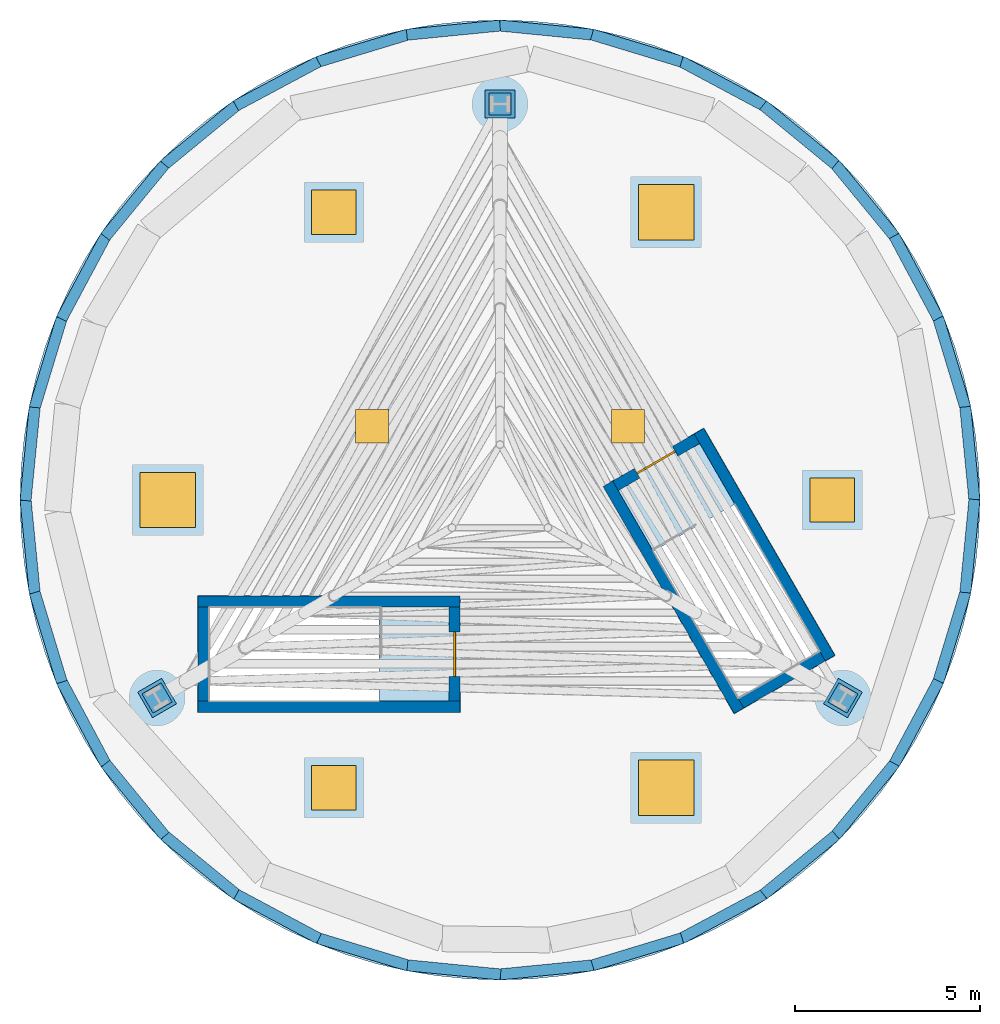
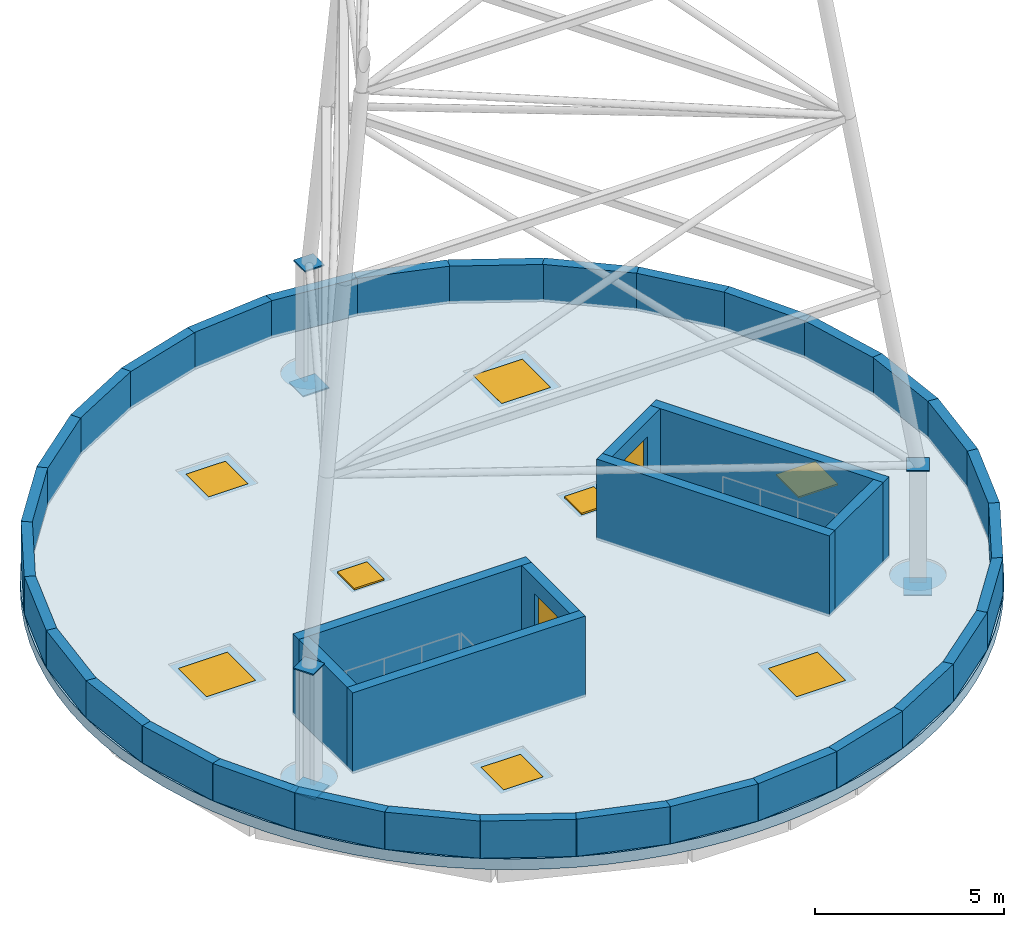
"""IFC4 building model written with IfcOpenShell, lengths in metres."""

import ifcopenshell
import ifcopenshell.guid

model = None  # the IFC model being written
_history = None  # IfcOwnerHistory: only IFC2X3 demands one
_inside = {}  # id of a spatial element -> (the spatial element, [elements in it])
_under = {}  # id of a project, library or spatial element -> (it, [spatial elements below it])
_declared = {}  # id of a project -> (the project, [libraries it declares])
_typed = {}  # id of a type object -> (the type object, [elements of that type])
_made_of = {}  # id of a material, layer set ... -> (it, [elements and type objects made of it])


def new_model(schema):
    """Start an empty IFC model of exactly this schema.

    Asked for "IFC4X3", IfcOpenShell would pick the latest addendum, in which some entities
    have other attributes; the version numbers below select the first issue.
    IFC2X3 requires an IfcOwnerHistory on every rooted entity: one is made here for all.
    """
    global model, _history
    if schema == "IFC4X3":
        model = ifcopenshell.file(schema_version=(4, 3, 0, 0))
    else:
        model = ifcopenshell.file(schema=schema)
    _inside.clear()
    _under.clear()
    _declared.clear()
    _typed.clear()
    _made_of.clear()
    _history = None
    if model.schema == "IFC2X3":
        org = make("IfcOrganization", Name="unknown")
        user = make(
            "IfcPersonAndOrganization",
            ThePerson=make("IfcPerson", FamilyName="unknown"),
            TheOrganization=org,
        )
        app = make(
            "IfcApplication",
            ApplicationDeveloper=org,
            Version="unknown",
            ApplicationFullName="unknown",
            ApplicationIdentifier="unknown",
        )
        _history = make(
            "IfcOwnerHistory",
            OwningUser=user,
            OwningApplication=app,
            ChangeAction="ADDED",
            CreationDate=0,
        )
    return model


def make(cls, **values):
    """One entity of the class cls with the attributes given. An attribute that is None is left unset."""
    return model.create_entity(
        cls, **{name: value for name, value in values.items() if value is not None}
    )


def rooted(cls, **values):
    """An entity with a GlobalId (a new one), such as an element, a storey or a relation."""
    return make(cls, GlobalId=ifcopenshell.guid.new(), OwnerHistory=_history, **values)


def si_unit(unit_type, name, prefix=None):
    """IfcSIUnit, for example si_unit("LENGTHUNIT", "METRE", prefix="MILLI")."""
    return make("IfcSIUnit", UnitType=unit_type, Prefix=prefix, Name=name)


def assignment(units):
    """IfcUnitAssignment: the units of a project."""
    return None if units is None else make("IfcUnitAssignment", Units=units)


def point(xyz):
    """IfcCartesianPoint."""
    return None if xyz is None else make("IfcCartesianPoint", Coordinates=xyz)


def direction(xyz):
    """IfcDirection."""
    return None if xyz is None else make("IfcDirection", DirectionRatios=xyz)


def frame(location, z_axis=None, x_axis=None):
    """IfcAxis2Placement3D, a coordinate frame: its origin and axes. An axis left out is left unset."""
    return make(
        "IfcAxis2Placement3D",
        Location=point(location),
        Axis=direction(z_axis),
        RefDirection=direction(x_axis),
    )


def frame_2d(location, x_axis=None):
    """IfcAxis2Placement2D, a coordinate frame in the plane: its origin and x axis."""
    return make(
        "IfcAxis2Placement2D", Location=point(location), RefDirection=direction(x_axis)
    )


def origin():
    """The frame at (0, 0, 0) with its axes left unset."""
    return frame((0.0, 0.0, 0.0))


def origin_2d():
    """The frame at (0, 0) in the plane with its x axis left unset."""
    return frame_2d((0.0, 0.0))


def place(relative_to, where):
    """IfcLocalPlacement: puts the frame where relative to a parent placement (None: the world)."""
    return make(
        "IfcLocalPlacement", PlacementRelTo=relative_to, RelativePlacement=where
    )


def context(
    kind, dimensions, precision=None, world=None, true_north=None, identifier=None
):
    """IfcGeometricRepresentationContext, for example the 3D "Model" context."""
    return make(
        "IfcGeometricRepresentationContext",
        ContextIdentifier=identifier,
        ContextType=kind,
        CoordinateSpaceDimension=dimensions,
        Precision=precision,
        WorldCoordinateSystem=world,
        TrueNorth=true_north,
    )


def subcontext(parent, identifier, kind, view, scale=None):
    """IfcGeometricRepresentationSubContext, for example "Body" below "Model"."""
    return make(
        "IfcGeometricRepresentationSubContext",
        ContextIdentifier=identifier,
        ContextType=kind,
        ParentContext=parent,
        TargetScale=scale,
        TargetView=view,
    )


def project(units=None, contexts=None):
    """IfcProject with its units and contexts."""
    return rooted(
        "IfcProject",
        Name="project",
        RepresentationContexts=contexts,
        UnitsInContext=assignment(units),
    )


def spatial(cls, under=None, at=None, **own):
    """A site, building, storey or space (cls), placed at a placement, below another one or the project."""
    s = rooted(cls, ObjectPlacement=at, **own)
    if under is not None:
        _under.setdefault(under.id(), (under, []))[1].append(s)
    return s


def polyline(points):
    """IfcPolyline through the points."""
    return make("IfcPolyline", Points=[point(p) for p in points])


def profile(cls, at=None, kind="AREA", **sizes):
    """A parametric profile (cls). Its sizes go by their IFC names, for example OverallWidth=200.0."""
    return make(cls, ProfileType=kind, Position=at, **sizes)


def rectangle(**sizes):
    """IfcRectangleProfileDef."""
    return profile("IfcRectangleProfileDef", **sizes)


def outline(outer, holes=None, kind="AREA"):
    """IfcArbitraryClosedProfileDef: a profile drawn as a closed curve; with holes, ...WithVoids."""
    if holes is None:
        return make("IfcArbitraryClosedProfileDef", ProfileType=kind, OuterCurve=outer)
    return make(
        "IfcArbitraryProfileDefWithVoids",
        ProfileType=kind,
        OuterCurve=outer,
        InnerCurves=holes,
    )


def extrude(swept, where, along, depth):
    """IfcExtrudedAreaSolid: the profile swept, set in the frame where, extruded along a direction by depth."""
    return make(
        "IfcExtrudedAreaSolid",
        SweptArea=swept,
        Position=where,
        ExtrudedDirection=direction(along),
        Depth=depth,
    )


def shape(context_of_items, identifier, shape_type, items):
    """IfcShapeRepresentation: the items that make up one representation, for example the "Body"."""
    return make(
        "IfcShapeRepresentation",
        ContextOfItems=context_of_items,
        RepresentationIdentifier=identifier,
        RepresentationType=shape_type,
        Items=items,
    )


def material(Name=None, Category=None):
    """IfcMaterial."""
    return make("IfcMaterial", Name=Name, Category=Category)


def layer(
    of_material, thickness, ventilated=None, Name=None, Category=None, Priority=None
):
    """IfcMaterialLayer: one layer of a wall or slab, of a material (None: an air gap)."""
    return make(
        "IfcMaterialLayer",
        Material=of_material,
        LayerThickness=thickness,
        IsVentilated=ventilated,
        Name=Name,
        Category=Category,
        Priority=Priority,
    )


def layer_set(layers, Name=None):
    """IfcMaterialLayerSet."""
    return make("IfcMaterialLayerSet", MaterialLayers=layers, LayerSetName=Name)


def made_of(thing, what):
    """Note that an element or type object is made of a material, layer set ...; save() writes the relation."""
    if what is not None:
        _made_of.setdefault(what.id(), (what, []))[1].append(thing)
    return thing


def type_object(cls, material=None, **own):
    """A type object (cls), such as IfcWallType, which elements share."""
    return made_of(rooted(cls, **own), material)


def element(
    cls,
    number,
    at=None,
    inside=None,
    cuts=None,
    type_object=None,
    material=None,
    context=None,
    identifier="Body",
    shape_type=None,
    held_by="IfcProductDefinitionShape",
    body=None,
    shapes=None,
    **own,
):
    """One element of the class cls, such as IfcWall. Its Tag is "e" and its number.

    at: its placement. inside: the storey or other place that contains it. cuts: it is an
    opening in that element (IfcRelVoidsElement). A single representation is given by context,
    identifier, shape_type and body (its items); several are given by shapes. held_by: the class
    of the entity that holds the representations. save() writes the other relations.
    """
    e = rooted(cls, Tag="e%d" % number, ObjectPlacement=at, **own)
    if body is not None:
        shapes = [shape(context, identifier, shape_type, body)]
    if shapes is not None:
        e.Representation = make(held_by, Representations=shapes)
    if inside is not None:
        _inside.setdefault(inside.id(), (inside, []))[1].append(e)
    if cuts is not None:
        rooted(
            "IfcRelVoidsElement", RelatingBuildingElement=cuts, RelatedOpeningElement=e
        )
    if type_object is not None:
        _typed.setdefault(type_object.id(), (type_object, []))[1].append(e)
    return made_of(e, material)


def fill(opening, filler):
    """IfcRelFillsElement: the door or window that sits in an opening."""
    return rooted(
        "IfcRelFillsElement",
        RelatingOpeningElement=opening,
        RelatedBuildingElement=filler,
    )


def aggregate(whole, parts):
    """IfcRelAggregates: a whole, such as a stair, and the parts it consists of."""
    return rooted("IfcRelAggregates", RelatingObject=whole, RelatedObjects=parts)


def save(model, path):
    """Write the relations noted so far, then the file.

    IfcRelAggregates (storeys below a building ...), IfcRelContainedInSpatialStructure (elements
    in a storey), IfcRelDefinesByType, IfcRelAssociatesMaterial and IfcRelDeclares: one each for
    every whole, place, type object, material and project.
    """
    for whole, parts in _under.values():
        aggregate(whole, parts)
    for where, things in _inside.values():
        rooted(
            "IfcRelContainedInSpatialStructure",
            RelatedElements=things,
            RelatingStructure=where,
        )
    for kind, things in _typed.values():
        rooted("IfcRelDefinesByType", RelatedObjects=things, RelatingType=kind)
    for what, things in _made_of.values():
        rooted("IfcRelAssociatesMaterial", RelatedObjects=things, RelatingMaterial=what)
    for by, libraries in _declared.values():
        rooted("IfcRelDeclares", RelatingContext=by, RelatedDefinitions=libraries)
    model.write(path)


model = new_model("IFC4")

# Units and contexts
model_context = context("Model", 3, precision=1e-05, world=origin(), true_north=direction((0.0, 1.0)))
body_context = subcontext(model_context, "Body", "Model", "MODEL_VIEW")
ifc_project = project(units=[si_unit("LENGTHUNIT", "METRE"), si_unit("AREAUNIT", "SQUARE_METRE"), si_unit("VOLUMEUNIT", "CUBIC_METRE"), si_unit("PLANEANGLEUNIT", "RADIAN"), si_unit("MASSUNIT", "GRAM", prefix="KILO")], contexts=[model_context])

# Site, building, storey
site_placement = place(None, origin())
site = spatial("IfcSite", under=ifc_project, at=site_placement, CompositionType="ELEMENT")
building_placement = place(site_placement, origin())
building = spatial("IfcBuilding", under=site, at=building_placement, Name="Tramontana Tower", CompositionType="ELEMENT")
storey_1_placement = place(building_placement, frame((0.0, 0.0, 392.89990234375)))
storey_1 = spatial("IfcBuildingStorey", under=building, at=storey_1_placement, Name="RF", CompositionType="ELEMENT", Elevation=392.89990234375)

# Slab, openings
ifc_material_1 = material(Name="Concrete 40 MPa", Category="concrete")
ifc_layer_1 = layer(ifc_material_1, 0.35009765625)
ifc_layer_set_1 = layer_set([ifc_layer_1], Name="RC ROOF SLAB 350 40 MPa")
slab_type = type_object("IfcSlabType", Name="RC ROOF SLAB 350 40 MPa", PredefinedType="ROOF", material=ifc_layer_set_1)
slab_placement = place(storey_1_placement, frame((0.0, 0.0, -0.349853515625)))
slab = element("IfcSlab", 1, at=slab_placement, inside=storey_1, type_object=slab_type, Name="Roof slab", PredefinedType="ROOF", context=body_context, shape_type="SweptSolid", body=[
    extrude(outline(polyline([(12.97216796875, -0.85009765625), (12.888916015625, -1.69677734375), (12.750244140625, -2.5361328125), (12.556884765625, -3.364501953125), (12.31005859375, -4.1787109375), (12.010498046875, -4.974853515625), (11.6591796875, -5.749755859375), (11.25830078125, -6.5), (10.80908203125, -7.222412109375), (10.313720703125, -7.913818359375), (9.77392578125, -8.571533203125), (9.1923828125, -9.1923828125), (8.571533203125, -9.77392578125), (7.913818359375, -10.313720703125), (7.222412109375, -10.80908203125), (6.5, -11.25830078125), (5.749755859375, -11.6591796875), (4.974853515625, -12.010498046875), (4.1787109375, -12.31005859375), (3.364501953125, -12.556884765625), (2.5361328125, -12.750244140625), (1.69677734375, -12.888916015625), (0.85009765625, -12.97216796875), (0.0, -13.0), (-0.85009765625, -12.97216796875), (-1.69677734375, -12.888916015625), (-2.5361328125, -12.750244140625), (-3.364501953125, -12.556884765625), (-4.1787109375, -12.31005859375), (-4.974853515625, -12.010498046875), (-5.749755859375, -11.6591796875), (-6.5, -11.25830078125), (-7.222412109375, -10.80908203125), (-7.913818359375, -10.313720703125), (-8.571533203125, -9.77392578125), (-9.1923828125, -9.1923828125), (-9.77392578125, -8.571533203125), (-10.313720703125, -7.913818359375), (-10.80908203125, -7.222412109375), (-11.25830078125, -6.5), (-11.6591796875, -5.749755859375), (-12.010498046875, -4.974853515625), (-12.31005859375, -4.1787109375), (-12.556884765625, -3.364501953125), (-12.750244140625, -2.5361328125), (-12.888916015625, -1.69677734375), (-12.97216796875, -0.85009765625), (-13.0, 0.0), (-12.97216796875, 0.85009765625), (-12.888916015625, 1.69677734375), (-12.750244140625, 2.5361328125), (-12.556884765625, 3.364501953125), (-12.31005859375, 4.1787109375), (-12.010498046875, 4.974853515625), (-11.6591796875, 5.749755859375), (-11.25830078125, 6.5), (-10.80908203125, 7.222412109375), (-10.313720703125, 7.913818359375), (-9.77392578125, 8.571533203125), (-9.1923828125, 9.1923828125), (-8.571533203125, 9.77392578125), (-7.913818359375, 10.313720703125), (-7.222412109375, 10.80908203125), (-6.5, 11.25830078125), (-5.749755859375, 11.6591796875), (-4.974853515625, 12.010498046875), (-4.1787109375, 12.31005859375), (-3.364501953125, 12.556884765625), (-2.5361328125, 12.750244140625), (-1.69677734375, 12.888916015625), (-0.85009765625, 12.97216796875), (0.0, 13.0), (0.85009765625, 12.97216796875), (1.69677734375, 12.888916015625), (2.5361328125, 12.750244140625), (3.364501953125, 12.556884765625), (4.1787109375, 12.31005859375), (4.974853515625, 12.010498046875), (5.749755859375, 11.6591796875), (6.5, 11.25830078125), (7.222412109375, 10.80908203125), (7.913818359375, 10.313720703125), (8.571533203125, 9.77392578125), (9.1923828125, 9.1923828125), (9.77392578125, 8.571533203125), (10.313720703125, 7.913818359375), (10.80908203125, 7.222412109375), (11.25830078125, 6.5), (11.6591796875, 5.749755859375), (12.010498046875, 4.974853515625), (12.31005859375, 4.1787109375), (12.556884765625, 3.364501953125), (12.750244140625, 2.5361328125), (12.888916015625, 1.69677734375), (12.97216796875, 0.85009765625), (13.0, 0.0), (12.97216796875, -0.85009765625)]), holes=[polyline([(4.151611328125, -1.390625), (6.451416015625, -5.374267578125), (8.659912109375, -4.099365234375), (6.35986328125, -0.115478515625), (4.151611328125, -1.390625)]), polyline([(-3.280029296875, -2.89990234375), (-7.8798828125, -2.89990234375), (-7.8798828125, -5.449951171875), (-3.280029296875, -5.449951171875), (-3.280029296875, -2.89990234375)])]), origin(), (0.0, 0.0, 1.0), 0.349853515625),
])
opening_1_placement = place(slab_placement, frame((9.0, 0.0, 0.0)))
opening_1 = element("IfcOpeningElement", 2, at=opening_1_placement, cuts=slab, Name="Opening SK1", PredefinedType="OPENING", context=body_context, shape_type="SweptSolid", body=[
    extrude(rectangle(XDim=1.199951171875, YDim=1.199951171875, at=origin_2d()), origin(), (0.0, 0.0, 1.0), 0.349853515625),
])
opening_2_placement = place(slab_placement, frame((4.5, 7.794189453125, 0.0)))
opening_2 = element("IfcOpeningElement", 3, at=opening_2_placement, cuts=slab, Name="Opening SK2", PredefinedType="OPENING", context=body_context, shape_type="SweptSolid", body=[
    extrude(rectangle(XDim=1.5, YDim=1.5, at=origin_2d()), origin(), (0.0, 0.0, 1.0), 0.349853515625),
])
opening_3_placement = place(slab_placement, frame((-4.5, 7.794189453125, 0.0)))
opening_3 = element("IfcOpeningElement", 4, at=opening_3_placement, cuts=slab, Name="Opening SK1", PredefinedType="OPENING", context=body_context, shape_type="SweptSolid", body=[
    extrude(rectangle(XDim=1.199951171875, YDim=1.199951171875, at=origin_2d()), origin(), (0.0, 0.0, 1.0), 0.349853515625),
])
opening_4_placement = place(slab_placement, frame((-9.0, 0.0, 0.0)))
opening_4 = element("IfcOpeningElement", 5, at=opening_4_placement, cuts=slab, Name="Opening SK2", PredefinedType="OPENING", context=body_context, shape_type="SweptSolid", body=[
    extrude(rectangle(XDim=1.5, YDim=1.5, at=origin_2d()), origin(), (0.0, 0.0, 1.0), 0.349853515625),
])
opening_5_placement = place(slab_placement, frame((-4.5, -7.794189453125, 0.0)))
opening_5 = element("IfcOpeningElement", 6, at=opening_5_placement, cuts=slab, Name="Opening SK1", PredefinedType="OPENING", context=body_context, shape_type="SweptSolid", body=[
    extrude(rectangle(XDim=1.199951171875, YDim=1.199951171875, at=origin_2d()), origin(), (0.0, 0.0, 1.0), 0.349853515625),
])
opening_6_placement = place(slab_placement, frame((4.5, -7.794189453125, 0.0)))
opening_6 = element("IfcOpeningElement", 7, at=opening_6_placement, cuts=slab, Name="Opening SK2", PredefinedType="OPENING", context=body_context, shape_type="SweptSolid", body=[
    extrude(rectangle(XDim=1.5, YDim=1.5, at=origin_2d()), origin(), (0.0, 0.0, 1.0), 0.349853515625),
])
opening_7_placement = place(slab_placement, frame((3.464111328125, 2.0, 0.0)))
opening_7 = element("IfcOpeningElement", 8, at=opening_7_placement, cuts=slab, Name="Opening RH-1", PredefinedType="OPENING", context=body_context, shape_type="SweptSolid", body=[
    extrude(rectangle(XDim=0.89990234375, YDim=0.89990234375, at=origin_2d()), origin(), (0.0, 0.0, 1.0), 0.409912109375),
])
opening_8_placement = place(slab_placement, frame((-3.464111328125, 2.0, 0.0)))
opening_8 = element("IfcOpeningElement", 9, at=opening_8_placement, cuts=slab, Name="Opening RH-2", PredefinedType="OPENING", context=body_context, shape_type="SweptSolid", body=[
    extrude(rectangle(XDim=0.89990234375, YDim=0.89990234375, at=origin_2d()), origin(), (0.0, 0.0, 1.0), 0.409912109375),
])

# Storey
storey_2_placement = place(building_placement, frame((0.0, 0.0, 380.89990234375)))
storey_2 = spatial("IfcBuildingStorey", under=building, at=storey_2_placement, Name="Crown", CompositionType="ELEMENT", Elevation=380.89990234375)

# Door
ifc_material_2 = material(Name="Aluminum insulated hatch", Category="aluminium")
door_type_1 = type_object("IfcDoorType", Name="HT1 Roof access hatch 900", OperationType="SINGLE_SWING_LEFT", PredefinedType="TRAPDOOR", material=ifc_material_2)
door_1_placement = place(opening_7_placement, frame((0.0, 0.0, 0.349853515625)))
door_1 = element("IfcDoor", 10, at=door_1_placement, inside=storey_2, type_object=door_type_1, Name="Roof access hatch 1", OperationType="SINGLE_SWING_LEFT", OverallHeight=0.89990234375, OverallWidth=0.89990234375, PredefinedType="TRAPDOOR", context=body_context, shape_type="SweptSolid", body=[
    extrude(rectangle(XDim=0.89990234375, YDim=0.89990234375, at=origin_2d()), origin(), (0.0, 0.0, 1.0), 0.050048828125),
])

fill(opening_7, door_1)

door_2_placement = place(opening_8_placement, frame((0.0, 0.0, 0.349853515625)))
door_2 = element("IfcDoor", 11, at=door_2_placement, inside=storey_2, type_object=door_type_1, Name="Roof access hatch 2", OperationType="SINGLE_SWING_LEFT", OverallHeight=0.89990234375, OverallWidth=0.89990234375, PredefinedType="TRAPDOOR", context=body_context, shape_type="SweptSolid", body=[
    extrude(rectangle(XDim=0.89990234375, YDim=0.89990234375, at=origin_2d()), origin(), (0.0, 0.0, 1.0), 0.050048828125),
])

fill(opening_8, door_2)

# Window
ifc_material_3 = material(Name="Aluminum frame, double glazing unit", Category="aluminium")
window_type_1 = type_object("IfcWindowType", Name="SK1 Drum rooflight 1200", PartitioningType="SINGLE_PANEL", PredefinedType="SKYLIGHT", material=ifc_material_3)
window_1_placement = place(opening_1_placement, frame((0.0, 0.0, 0.2998046875)))
window_1 = element("IfcWindow", 12, at=window_1_placement, inside=storey_2, type_object=window_type_1, Name="Drum rooflight 1", OverallHeight=1.199951171875, OverallWidth=1.199951171875, PartitioningType="SINGLE_PANEL", PredefinedType="SKYLIGHT", context=body_context, shape_type="SweptSolid", body=[
    extrude(rectangle(XDim=1.199951171875, YDim=1.199951171875, at=origin_2d()), origin(), (0.0, 0.0, 1.0), 0.050048828125),
])

fill(opening_1, window_1)

window_2_placement = place(opening_3_placement, frame((0.0, 0.0, 0.2998046875)))
window_2 = element("IfcWindow", 13, at=window_2_placement, inside=storey_2, type_object=window_type_1, Name="Drum rooflight 3", OverallHeight=1.199951171875, OverallWidth=1.199951171875, PartitioningType="SINGLE_PANEL", PredefinedType="SKYLIGHT", context=body_context, shape_type="SweptSolid", body=[
    extrude(rectangle(XDim=1.199951171875, YDim=1.199951171875, at=origin_2d()), origin(), (0.0, 0.0, 1.0), 0.050048828125),
])

fill(opening_3, window_2)

window_3_placement = place(opening_5_placement, frame((0.0, 0.0, 0.2998046875)))
window_3 = element("IfcWindow", 14, at=window_3_placement, inside=storey_2, type_object=window_type_1, Name="Drum rooflight 5", OverallHeight=1.199951171875, OverallWidth=1.199951171875, PartitioningType="SINGLE_PANEL", PredefinedType="SKYLIGHT", context=body_context, shape_type="SweptSolid", body=[
    extrude(rectangle(XDim=1.199951171875, YDim=1.199951171875, at=origin_2d()), origin(), (0.0, 0.0, 1.0), 0.050048828125),
])

fill(opening_5, window_3)

ifc_material_4 = material(Name="Aluminum frame, double glazing unit", Category="aluminium")
window_type_2 = type_object("IfcWindowType", Name="SK2 Drum rooflight 1500", PartitioningType="SINGLE_PANEL", PredefinedType="SKYLIGHT", material=ifc_material_4)
window_4_placement = place(opening_2_placement, frame((0.0, 0.0, 0.2998046875)))
window_4 = element("IfcWindow", 15, at=window_4_placement, inside=storey_2, type_object=window_type_2, Name="Drum rooflight 2", OverallHeight=1.5, OverallWidth=1.5, PartitioningType="SINGLE_PANEL", PredefinedType="SKYLIGHT", context=body_context, shape_type="SweptSolid", body=[
    extrude(rectangle(XDim=1.5, YDim=1.5, at=origin_2d()), origin(), (0.0, 0.0, 1.0), 0.050048828125),
])

fill(opening_2, window_4)

window_5_placement = place(opening_4_placement, frame((0.0, 0.0, 0.2998046875)))
window_5 = element("IfcWindow", 16, at=window_5_placement, inside=storey_2, type_object=window_type_2, Name="Drum rooflight 4", OverallHeight=1.5, OverallWidth=1.5, PartitioningType="SINGLE_PANEL", PredefinedType="SKYLIGHT", context=body_context, shape_type="SweptSolid", body=[
    extrude(rectangle(XDim=1.5, YDim=1.5, at=origin_2d()), origin(), (0.0, 0.0, 1.0), 0.050048828125),
])

fill(opening_4, window_5)

window_6_placement = place(opening_6_placement, frame((0.0, 0.0, 0.2998046875)))
window_6 = element("IfcWindow", 17, at=window_6_placement, inside=storey_2, type_object=window_type_2, Name="Drum rooflight 6", OverallHeight=1.5, OverallWidth=1.5, PartitioningType="SINGLE_PANEL", PredefinedType="SKYLIGHT", context=body_context, shape_type="SweptSolid", body=[
    extrude(rectangle(XDim=1.5, YDim=1.5, at=origin_2d()), origin(), (0.0, 0.0, 1.0), 0.050048828125),
])

fill(opening_6, window_6)

# Walls
ifc_material_5 = material(Name="Precast concrete 60 MPa", Category="concrete")
ifc_layer_2 = layer(ifc_material_5, 0.300048828125)
ifc_layer_set_2 = layer_set([ifc_layer_2], Name="HH1 Stair head-house wall 300")
wall_type_1 = type_object("IfcWallType", Name="HH1 Stair head-house wall 300", PredefinedType="SOLIDWALL", material=ifc_layer_set_2)
for number, where, z_axis, x_axis, name in (
    (18, (-8.179931640625, -5.60009765625, 0.0), (0.0, 0.0, 1.0), (1.0, 0.0, 0.0), "Stair head-house wall ST2l"),
    (19, (-8.179931640625, -2.75, 0.0), (0.0, 0.0, 1.0), (1.0, 0.0, 0.0), "Stair head-house wall ST2r"),
):
    element("IfcWall", number, at=place(storey_1_placement, frame(where, z_axis=z_axis, x_axis=x_axis)), inside=storey_1, type_object=wall_type_1, Name=name, PredefinedType="SOLIDWALL", context=body_context, shape_type="SweptSolid", body=[
        extrude(rectangle(XDim=7.099853515625, YDim=0.300048828125, at=frame_2d((3.5498046875, 0.0))), origin(), (0.0, 0.0, 1.0), 2.60009765625),
    ])
wall_1_placement = place(storey_1_placement, frame((-8.030029296875, -5.449951171875, 0.0), z_axis=(0.0, 0.0, 1.0), x_axis=(0.0, 1.0, 0.0)))
element("IfcWall", 20, at=wall_1_placement, inside=storey_1, type_object=wall_type_1, Name="Stair head-house back wall ST2", PredefinedType="SOLIDWALL", context=body_context, shape_type="SweptSolid", body=[
    extrude(rectangle(XDim=2.550048828125, YDim=0.300048828125, at=frame_2d((1.27490234375, 0.0))), origin(), (0.0, 0.0, 1.0), 2.60009765625),
])

# Wall, opening, door
wall_2_placement = place(storey_1_placement, frame((-1.22998046875, -2.89990234375, 0.0), z_axis=(0.0, 0.0, 1.0), x_axis=(0.0, -1.0, 0.0)))
wall_2 = element("IfcWall", 21, at=wall_2_placement, inside=storey_1, type_object=wall_type_1, Name="Stair head-house end wall ST2", PredefinedType="SOLIDWALL", context=body_context, shape_type="SweptSolid", body=[
    extrude(rectangle(XDim=2.550048828125, YDim=0.300048828125, at=frame_2d((1.27490234375, 0.0))), origin(), (0.0, 0.0, 1.0), 2.60009765625),
])
opening_9_placement = place(wall_2_placement, frame((0.675048828125, 0.0, 0.0)))
opening_9 = element("IfcOpeningElement", 22, at=opening_9_placement, cuts=wall_2, Name="Opening HD-ST2", PredefinedType="OPENING", context=body_context, shape_type="SweptSolid", body=[
    extrude(rectangle(XDim=1.199951171875, YDim=2.10009765625, at=frame_2d((0.60009765625, 1.050048828125))), frame((0.0, 0.159912109375, 0.0), z_axis=(0.0, -1.0, 0.0), x_axis=(1.0, 0.0, 0.0)), (0.0, 0.0, 1.0), 0.320068359375),
])
ifc_material_6 = material(Name="Aluminum frame, double glazing unit", Category="aluminium")
door_type_2 = type_object("IfcDoorType", Name="HD1 Stair roof door 1200 x 2100", OperationType="DOUBLE_DOOR_SINGLE_SWING", PredefinedType="DOOR", material=ifc_material_6)
door_3_placement = place(opening_9_placement, origin())
door_3 = element("IfcDoor", 23, at=door_3_placement, inside=storey_2, type_object=door_type_2, Name="Stair roof door ST2", OperationType="DOUBLE_DOOR_SINGLE_SWING", OverallHeight=2.10009765625, OverallWidth=1.199951171875, PredefinedType="DOOR", context=body_context, shape_type="SweptSolid", body=[
    extrude(rectangle(XDim=1.199951171875, YDim=2.10009765625, at=frame_2d((0.60009765625, 1.050048828125))), frame((0.0, 0.02490234375, 0.0), z_axis=(0.0, -1.0, 0.0), x_axis=(1.0, 0.0, 0.0)), (0.0, 0.0, 1.0), 0.050048828125),
])
fill(opening_9, door_3)

# Walls
wall_3_placement = place(storey_1_placement, frame((8.939697265625, -4.2841796875, 0.0), z_axis=(0.0, 0.0, 1.0), x_axis=(-0.499996289485, 0.866027546041, 0.0)))
element("IfcWall", 24, at=wall_3_placement, inside=storey_1, type_object=wall_type_1, Name="Stair head-house wall ST3l", PredefinedType="SOLIDWALL", context=body_context, shape_type="SweptSolid", body=[
    extrude(rectangle(XDim=7.10009765625, YDim=0.300048828125, at=frame_2d((3.550048828125, 0.0))), origin(), (0.0, 0.0, 1.0), 2.60009765625),
])
wall_4_placement = place(storey_1_placement, frame((6.4716796875, -5.708984375, 0.0), z_axis=(0.0, 0.0, 1.0), x_axis=(-0.500011179042, 0.866018949465, 0.0)))
element("IfcWall", 25, at=wall_4_placement, inside=storey_1, type_object=wall_type_1, Name="Stair head-house wall ST3r", PredefinedType="SOLIDWALL", context=body_context, shape_type="SweptSolid", body=[
    extrude(rectangle(XDim=7.099853515625, YDim=0.300048828125, at=frame_2d((3.5498046875, 0.0))), origin(), (0.0, 0.0, 1.0), 2.60009765625),
])
wall_5_placement = place(storey_1_placement, frame((8.73486328125, -4.229248046875, 0.0), z_axis=(0.0, 0.0, 1.0), x_axis=(-0.866054858364, -0.499948979701, 0.0)))
element("IfcWall", 26, at=wall_5_placement, inside=storey_1, type_object=wall_type_1, Name="Stair head-house back wall ST3", PredefinedType="SOLIDWALL", context=body_context, shape_type="SweptSolid", body=[
    extrude(rectangle(XDim=2.550048828125, YDim=0.300048828125, at=frame_2d((1.27490234375, 0.0))), origin(), (0.0, 0.0, 1.0), 2.60009765625),
])

# Wall, opening, door
wall_6_placement = place(storey_1_placement, frame((3.12646484375, 0.384765625, 0.0), z_axis=(0.0, 0.0, 1.0), x_axis=(0.866030925526, 0.499990435942, 0.0)))
wall_6 = element("IfcWall", 27, at=wall_6_placement, inside=storey_1, type_object=wall_type_1, Name="Stair head-house end wall ST3", PredefinedType="SOLIDWALL", context=body_context, shape_type="SweptSolid", body=[
    extrude(rectangle(XDim=2.5498046875, YDim=0.300048828125, at=frame_2d((1.27490234375, 0.0))), origin(), (0.0, 0.0, 1.0), 2.60009765625),
])
opening_10_placement = place(wall_6_placement, frame((0.675048828125, 0.0, 0.0)))
opening_10 = element("IfcOpeningElement", 28, at=opening_10_placement, cuts=wall_6, Name="Opening HD-ST3", PredefinedType="OPENING", context=body_context, shape_type="SweptSolid", body=[
    extrude(rectangle(XDim=1.199951171875, YDim=2.10009765625, at=frame_2d((0.60009765625, 1.050048828125))), frame((0.0, 0.159912109375, 0.0), z_axis=(0.0, -1.0, 0.0), x_axis=(1.0, 0.0, 0.0)), (0.0, 0.0, 1.0), 0.320068359375),
])
door_4_placement = place(opening_10_placement, origin())
door_4 = element("IfcDoor", 29, at=door_4_placement, inside=storey_2, type_object=door_type_2, Name="Stair roof door ST3", OperationType="DOUBLE_DOOR_SINGLE_SWING", OverallHeight=2.10009765625, OverallWidth=1.199951171875, PredefinedType="DOOR", context=body_context, shape_type="SweptSolid", body=[
    extrude(rectangle(XDim=1.199951171875, YDim=2.10009765625, at=frame_2d((0.60009765625, 1.050048828125))), frame((0.0, 0.02490234375, 0.0), z_axis=(0.0, -1.0, 0.0), x_axis=(1.0, 0.0, 0.0)), (0.0, 0.0, 1.0), 0.050048828125),
])
fill(opening_10, door_4)

# Walls
ifc_material_7 = material(Name="Precast concrete 60 MPa", Category="concrete")
ifc_layer_3 = layer(ifc_material_7, 0.300048828125)
ifc_layer_set_3 = layer_set([ifc_layer_3], Name="PA2 Drum parapet 300")
wall_type_2 = type_object("IfcWallType", Name="PA2 Drum parapet 300", PredefinedType="PARAPET", material=ifc_layer_set_3)
for number, where, z_axis, x_axis, name in (
    (30, (12.85009765625, 0.0, 0.0), (0.0, 0.0, 1.0), (-0.098082246274, 0.995178312146, 0.0), "Roof parapet 1"),
    (31, (12.60302734375, 2.5068359375, 0.0), (0.0, 0.0, 1.0), (-0.290210626326, 0.956962795707, 0.0), "Roof parapet 2"),
):
    element("IfcWall", number, at=place(storey_1_placement, frame(where, z_axis=z_axis, x_axis=x_axis)), inside=storey_1, type_object=wall_type_2, Name=name, PredefinedType="PARAPET", context=body_context, shape_type="SweptSolid", body=[
        extrude(rectangle(XDim=2.533935546875, YDim=0.300048828125, at=frame_2d((1.26708984375, 0.0))), origin(), (0.0, 0.0, 1.0), 1.2001953125),
    ])
for number, where, z_axis, x_axis, name in (
    (32, (11.871826171875, 4.91748046875, 0.0), (0.0, 0.0, 1.0), (-0.471368226054, 0.881936503081, 0.0), "Roof parapet 3"),
    (33, (10.684326171875, 7.13916015625, 0.0), (0.0, 0.0, 1.0), (-0.634422921614, 0.772986129585, 0.0), "Roof parapet 4"),
):
    element("IfcWall", number, at=place(storey_1_placement, frame(where, z_axis=z_axis, x_axis=x_axis)), inside=storey_1, type_object=wall_type_2, Name=name, PredefinedType="PARAPET", context=body_context, shape_type="SweptSolid", body=[
        extrude(rectangle(XDim=2.53369140625, YDim=0.300048828125, at=frame_2d((1.266845703125, 0.0))), origin(), (0.0, 0.0, 1.0), 1.2001953125),
    ])
for number, where, z_axis, x_axis, name in (
    (34, (9.08642578125, 9.08642578125, 0.0), (0.0, 0.0, 1.0), (-0.773024908732, 0.634375669836, 0.0), "Roof parapet 5"),
    (35, (7.13916015625, 10.684326171875, 0.0), (0.0, 0.0, 1.0), (-0.881896445357, 0.471443166954, 0.0), "Roof parapet 6"),
    (36, (4.91748046875, 11.871826171875, 0.0), (0.0, 0.0, 1.0), (-0.956936033583, 0.290298859161, 0.0), "Roof parapet 7"),
):
    element("IfcWall", number, at=place(storey_1_placement, frame(where, z_axis=z_axis, x_axis=x_axis)), inside=storey_1, type_object=wall_type_2, Name=name, PredefinedType="PARAPET", context=body_context, shape_type="SweptSolid", body=[
        extrude(rectangle(XDim=2.533935546875, YDim=0.300048828125, at=frame_2d((1.26708984375, 0.0))), origin(), (0.0, 0.0, 1.0), 1.2001953125),
    ])
wall_7_placement = place(storey_1_placement, frame((2.5068359375, 12.60302734375, 0.0), z_axis=(0.0, 0.0, 1.0), x_axis=(-0.995177385133, 0.098091651633, 0.0)))
element("IfcWall", 37, at=wall_7_placement, inside=storey_1, type_object=wall_type_2, Name="Roof parapet 8", PredefinedType="PARAPET", context=body_context, shape_type="SweptSolid", body=[
    extrude(rectangle(XDim=2.53369140625, YDim=0.300048828125, at=frame_2d((1.266845703125, 0.0))), origin(), (0.0, 0.0, 1.0), 1.2001953125),
])
for number, where, z_axis, x_axis, name in (
    (38, (0.0, 12.85009765625, 0.0), (0.0, 0.0, 1.0), (-0.995178312146, -0.098082246274, 0.0), "Roof parapet 9"),
    (39, (-2.5068359375, 12.60302734375, 0.0), (0.0, 0.0, 1.0), (-0.956962795707, -0.290210626326, 0.0), "Roof parapet 10"),
):
    element("IfcWall", number, at=place(storey_1_placement, frame(where, z_axis=z_axis, x_axis=x_axis)), inside=storey_1, type_object=wall_type_2, Name=name, PredefinedType="PARAPET", context=body_context, shape_type="SweptSolid", body=[
        extrude(rectangle(XDim=2.533935546875, YDim=0.300048828125, at=frame_2d((1.26708984375, 0.0))), origin(), (0.0, 0.0, 1.0), 1.2001953125),
    ])
for number, where, z_axis, x_axis, name in (
    (40, (-4.91748046875, 11.871826171875, 0.0), (0.0, 0.0, 1.0), (-0.881936503081, -0.471368226054, 0.0), "Roof parapet 11"),
    (41, (-7.13916015625, 10.684326171875, 0.0), (0.0, 0.0, 1.0), (-0.772986129585, -0.634422921614, 0.0), "Roof parapet 12"),
):
    element("IfcWall", number, at=place(storey_1_placement, frame(where, z_axis=z_axis, x_axis=x_axis)), inside=storey_1, type_object=wall_type_2, Name=name, PredefinedType="PARAPET", context=body_context, shape_type="SweptSolid", body=[
        extrude(rectangle(XDim=2.53369140625, YDim=0.300048828125, at=frame_2d((1.266845703125, 0.0))), origin(), (0.0, 0.0, 1.0), 1.2001953125),
    ])
for number, where, z_axis, x_axis, name in (
    (42, (-9.08642578125, 9.08642578125, 0.0), (0.0, 0.0, 1.0), (-0.634375669836, -0.773024908732, 0.0), "Roof parapet 13"),
    (43, (-10.684326171875, 7.13916015625, 0.0), (0.0, 0.0, 1.0), (-0.471443166954, -0.881896445357, 0.0), "Roof parapet 14"),
    (44, (-11.871826171875, 4.91748046875, 0.0), (0.0, 0.0, 1.0), (-0.290298859161, -0.956936033583, 0.0), "Roof parapet 15"),
):
    element("IfcWall", number, at=place(storey_1_placement, frame(where, z_axis=z_axis, x_axis=x_axis)), inside=storey_1, type_object=wall_type_2, Name=name, PredefinedType="PARAPET", context=body_context, shape_type="SweptSolid", body=[
        extrude(rectangle(XDim=2.533935546875, YDim=0.300048828125, at=frame_2d((1.26708984375, 0.0))), origin(), (0.0, 0.0, 1.0), 1.2001953125),
    ])
wall_8_placement = place(storey_1_placement, frame((-12.60302734375, 2.5068359375, 0.0), z_axis=(0.0, 0.0, 1.0), x_axis=(-0.098091651633, -0.995177385133, 0.0)))
element("IfcWall", 45, at=wall_8_placement, inside=storey_1, type_object=wall_type_2, Name="Roof parapet 16", PredefinedType="PARAPET", context=body_context, shape_type="SweptSolid", body=[
    extrude(rectangle(XDim=2.53369140625, YDim=0.300048828125, at=frame_2d((1.266845703125, 0.0))), origin(), (0.0, 0.0, 1.0), 1.2001953125),
])
for number, where, z_axis, x_axis, name in (
    (46, (-12.85009765625, 0.0, 0.0), (0.0, 0.0, 1.0), (0.098082246274, -0.995178312146, 0.0), "Roof parapet 17"),
    (47, (-12.60302734375, -2.5068359375, 0.0), (0.0, 0.0, 1.0), (0.290210626326, -0.956962795707, 0.0), "Roof parapet 18"),
):
    element("IfcWall", number, at=place(storey_1_placement, frame(where, z_axis=z_axis, x_axis=x_axis)), inside=storey_1, type_object=wall_type_2, Name=name, PredefinedType="PARAPET", context=body_context, shape_type="SweptSolid", body=[
        extrude(rectangle(XDim=2.533935546875, YDim=0.300048828125, at=frame_2d((1.26708984375, 0.0))), origin(), (0.0, 0.0, 1.0), 1.2001953125),
    ])
for number, where, z_axis, x_axis, name in (
    (48, (-11.871826171875, -4.91748046875, 0.0), (0.0, 0.0, 1.0), (0.471368226054, -0.881936503081, 0.0), "Roof parapet 19"),
    (49, (-10.684326171875, -7.13916015625, 0.0), (0.0, 0.0, 1.0), (0.634422921614, -0.772986129585, 0.0), "Roof parapet 20"),
):
    element("IfcWall", number, at=place(storey_1_placement, frame(where, z_axis=z_axis, x_axis=x_axis)), inside=storey_1, type_object=wall_type_2, Name=name, PredefinedType="PARAPET", context=body_context, shape_type="SweptSolid", body=[
        extrude(rectangle(XDim=2.53369140625, YDim=0.300048828125, at=frame_2d((1.266845703125, 0.0))), origin(), (0.0, 0.0, 1.0), 1.2001953125),
    ])
for number, where, z_axis, x_axis, name in (
    (50, (-9.08642578125, -9.08642578125, 0.0), (0.0, 0.0, 1.0), (0.773024908732, -0.634375669836, 0.0), "Roof parapet 21"),
    (51, (-7.13916015625, -10.684326171875, 0.0), (0.0, 0.0, 1.0), (0.881896445357, -0.471443166954, 0.0), "Roof parapet 22"),
    (52, (-4.91748046875, -11.871826171875, 0.0), (0.0, 0.0, 1.0), (0.956936033583, -0.290298859161, 0.0), "Roof parapet 23"),
):
    element("IfcWall", number, at=place(storey_1_placement, frame(where, z_axis=z_axis, x_axis=x_axis)), inside=storey_1, type_object=wall_type_2, Name=name, PredefinedType="PARAPET", context=body_context, shape_type="SweptSolid", body=[
        extrude(rectangle(XDim=2.533935546875, YDim=0.300048828125, at=frame_2d((1.26708984375, 0.0))), origin(), (0.0, 0.0, 1.0), 1.2001953125),
    ])
wall_9_placement = place(storey_1_placement, frame((-2.5068359375, -12.60302734375, 0.0), z_axis=(0.0, 0.0, 1.0), x_axis=(0.995177385133, -0.098091651633, 0.0)))
element("IfcWall", 53, at=wall_9_placement, inside=storey_1, type_object=wall_type_2, Name="Roof parapet 24", PredefinedType="PARAPET", context=body_context, shape_type="SweptSolid", body=[
    extrude(rectangle(XDim=2.53369140625, YDim=0.300048828125, at=frame_2d((1.266845703125, 0.0))), origin(), (0.0, 0.0, 1.0), 1.2001953125),
])
for number, where, z_axis, x_axis, name in (
    (54, (0.0, -12.85009765625, 0.0), (0.0, 0.0, 1.0), (0.995178312146, 0.098082246274, 0.0), "Roof parapet 25"),
    (55, (2.5068359375, -12.60302734375, 0.0), (0.0, 0.0, 1.0), (0.956962795707, 0.290210626326, 0.0), "Roof parapet 26"),
):
    element("IfcWall", number, at=place(storey_1_placement, frame(where, z_axis=z_axis, x_axis=x_axis)), inside=storey_1, type_object=wall_type_2, Name=name, PredefinedType="PARAPET", context=body_context, shape_type="SweptSolid", body=[
        extrude(rectangle(XDim=2.533935546875, YDim=0.300048828125, at=frame_2d((1.26708984375, 0.0))), origin(), (0.0, 0.0, 1.0), 1.2001953125),
    ])
for number, where, z_axis, x_axis, name in (
    (56, (4.91748046875, -11.871826171875, 0.0), (0.0, 0.0, 1.0), (0.881936503081, 0.471368226054, 0.0), "Roof parapet 27"),
    (57, (7.13916015625, -10.684326171875, 0.0), (0.0, 0.0, 1.0), (0.772986129585, 0.634422921614, 0.0), "Roof parapet 28"),
):
    element("IfcWall", number, at=place(storey_1_placement, frame(where, z_axis=z_axis, x_axis=x_axis)), inside=storey_1, type_object=wall_type_2, Name=name, PredefinedType="PARAPET", context=body_context, shape_type="SweptSolid", body=[
        extrude(rectangle(XDim=2.53369140625, YDim=0.300048828125, at=frame_2d((1.266845703125, 0.0))), origin(), (0.0, 0.0, 1.0), 1.2001953125),
    ])
for number, where, z_axis, x_axis, name in (
    (58, (9.08642578125, -9.08642578125, 0.0), (0.0, 0.0, 1.0), (0.634375669836, 0.773024908732, 0.0), "Roof parapet 29"),
    (59, (10.684326171875, -7.13916015625, 0.0), (0.0, 0.0, 1.0), (0.471443166954, 0.881896445357, 0.0), "Roof parapet 30"),
    (60, (11.871826171875, -4.91748046875, 0.0), (0.0, 0.0, 1.0), (0.290298859161, 0.956936033583, 0.0), "Roof parapet 31"),
):
    element("IfcWall", number, at=place(storey_1_placement, frame(where, z_axis=z_axis, x_axis=x_axis)), inside=storey_1, type_object=wall_type_2, Name=name, PredefinedType="PARAPET", context=body_context, shape_type="SweptSolid", body=[
        extrude(rectangle(XDim=2.533935546875, YDim=0.300048828125, at=frame_2d((1.26708984375, 0.0))), origin(), (0.0, 0.0, 1.0), 1.2001953125),
    ])
wall_10_placement = place(storey_1_placement, frame((12.60302734375, -2.5068359375, 0.0), z_axis=(0.0, 0.0, 1.0), x_axis=(0.098091651633, 0.995177385133, 0.0)))
element("IfcWall", 61, at=wall_10_placement, inside=storey_1, type_object=wall_type_2, Name="Roof parapet 32", PredefinedType="PARAPET", context=body_context, shape_type="SweptSolid", body=[
    extrude(rectangle(XDim=2.53369140625, YDim=0.300048828125, at=frame_2d((1.266845703125, 0.0))), origin(), (0.0, 0.0, 1.0), 1.2001953125),
])

# Discrete accessories
ifc_material_8 = material(Name="Steel ASTM A572 Grade 50", Category="steel")
ifc_layer_4 = layer(ifc_material_8, 0.0400390625)
ifc_layer_set_4 = layer_set([ifc_layer_4], Name="Base plate 600X600X40")
discrete_accessory_type_1 = type_object("IfcDiscreteAccessoryType", Name="Base plate 600X600X40", PredefinedType="ANCHORPLATE", material=ifc_layer_set_4)
for number, where, z_axis, x_axis, name in (
    (62, (0.0, 10.72509765625, 3.60009765625), (0.0, 0.0, 1.0), (0.0, 1.0, 0.0), "Mast leg foot plate 1"),
    (63, (-9.2880859375, -5.362548828125, 3.60009765625), (0.0, 0.0, 1.0), (-0.866025403784, -0.5, 0.0), "Mast leg foot plate 2"),
    (64, (9.2880859375, -5.362548828125, 3.60009765625), (0.0, 0.0, 1.0), (0.866025403784, -0.5, 0.0), "Mast leg foot plate 3"),
):
    element("IfcDiscreteAccessory", number, at=place(storey_1_placement, frame(where, z_axis=z_axis, x_axis=x_axis)), inside=storey_1, type_object=discrete_accessory_type_1, Name=name, PredefinedType="ANCHORPLATE", context=body_context, shape_type="SweptSolid", body=[
        extrude(rectangle(XDim=0.60009765625, YDim=0.60009765625, at=origin_2d()), origin(), (0.0, 0.0, 1.0), 0.0400390625),
    ])
ifc_material_9 = material(Name="Steel ASTM A572 Grade 50", Category="steel")
ifc_layer_5 = layer(ifc_material_9, 0.0400390625)
ifc_layer_set_5 = layer_set([ifc_layer_5], Name="Base plate 800X750X40")
discrete_accessory_type_2 = type_object("IfcDiscreteAccessoryType", Name="Base plate 800X750X40", PredefinedType="ANCHORPLATE", material=ifc_layer_set_5)
for number, where, z_axis, x_axis, name in (
    (65, (0.0, 10.72509765625, -0.349853515625), (0.0, 0.0, 1.0), (-1.0, 0.0, 0.0), "Mast base plate 1"),
    (66, (-9.2880859375, -5.362548828125, -0.349853515625), (0.0, 0.0, 1.0), (0.5, -0.866025403784, 0.0), "Mast base plate 2"),
    (67, (9.2880859375, -5.362548828125, -0.349853515625), (0.0, 0.0, 1.0), (0.5, 0.866025403784, 0.0), "Mast base plate 3"),
):
    element("IfcDiscreteAccessory", number, at=place(storey_1_placement, frame(where, z_axis=z_axis, x_axis=x_axis)), inside=storey_1, type_object=discrete_accessory_type_2, Name=name, PredefinedType="ANCHORPLATE", context=body_context, shape_type="SweptSolid", body=[
        extrude(rectangle(XDim=0.800048828125, YDim=0.75, at=origin_2d()), origin(), (0.0, 0.0, 1.0), 0.0400390625),
    ])

save(model, "model.ifc")
